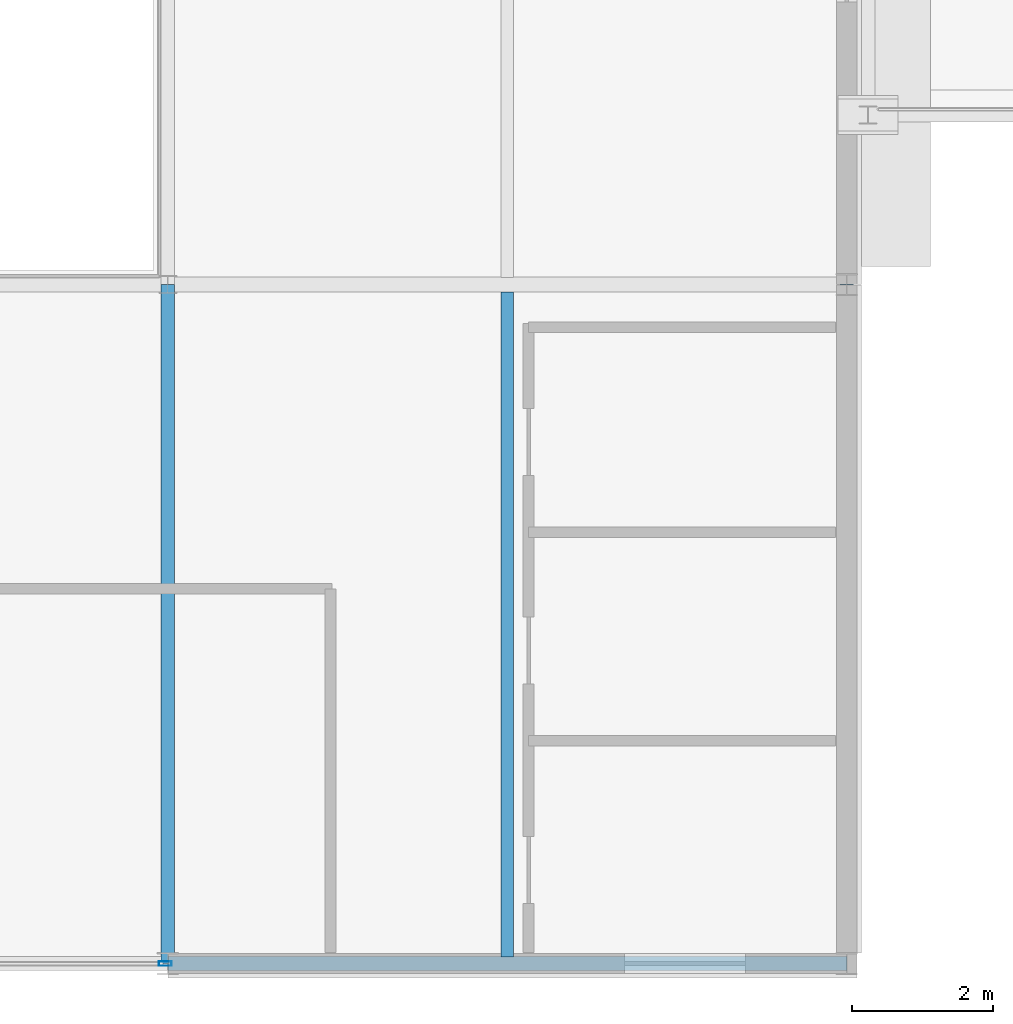
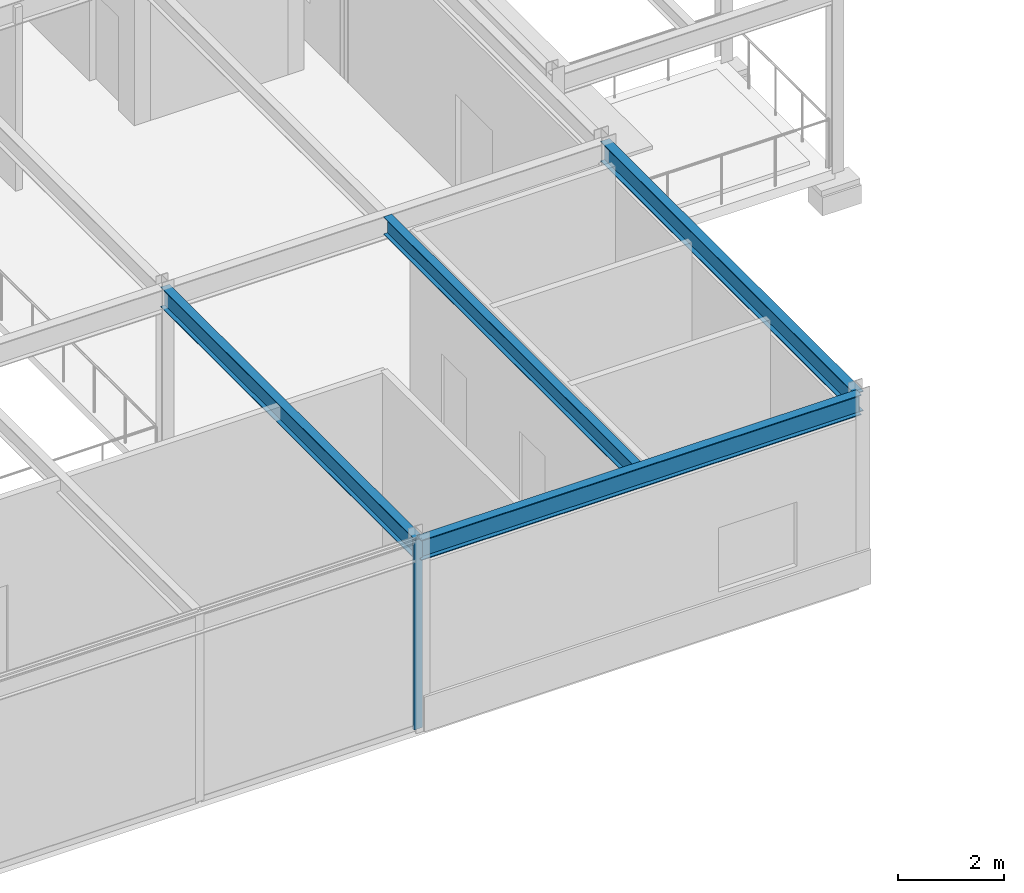
# One storey, part 24 of 157: 4 beams, 1 member, 1 element without a shape of its own.
"""IFC4 building model written with IfcOpenShell, lengths in metres."""

from ifc_helpers import new_model, si_unit, direction, frame, origin, origin_2d, place, context, subcontext, project, spatial, hollow_rectangle, i_section, extrude, material, material_profile, profile_set, type_object, element, aggregate, save


model = new_model("IFC4")

# Units and contexts
model_context = context("Model", 3, precision=1e-05, world=origin(), true_north=direction((0.0, 1.0)))
body_context = subcontext(model_context, "Body", "Model", "MODEL_VIEW")
ifc_project = project(units=[si_unit("LENGTHUNIT", "METRE"), si_unit("AREAUNIT", "SQUARE_METRE"), si_unit("VOLUMEUNIT", "CUBIC_METRE"), si_unit("PLANEANGLEUNIT", "RADIAN"), si_unit("MASSUNIT", "GRAM", prefix="KILO")], contexts=[model_context])

# Site, building, storey
site_placement = place(None, origin())
site = spatial("IfcSite", under=ifc_project, at=site_placement, CompositionType="ELEMENT")
building_placement = place(site_placement, origin())
building = spatial("IfcBuilding", under=site, at=building_placement, Name="Almandine Court Research Institute", CompositionType="ELEMENT")
storey_placement = place(building_placement, frame((0.0, 0.0, 5.25)))
storey = spatial("IfcBuildingStorey", under=building, at=storey_placement, Name="L01", CompositionType="ELEMENT", Elevation=5.25)

# Beams
ifc_material_1 = material(Name="Steel ASTM A992 Grade 50", Category="steel")
ifc_material_profile_1 = material_profile(ifc_material_1, i_section(OverallWidth=0.18994140625, OverallDepth=0.45703125, WebThickness=0.009033203125, FlangeThickness=0.014892578125, at=origin_2d()), Name="W460x74")
ifc_profile_set_1 = profile_set([ifc_material_profile_1], Name="Steel ASTM A992 Grade 50")
beam_type_1 = type_object("IfcBeamType", Name="Beam-B-01", PredefinedType="BEAM", material=ifc_profile_set_1)
beam_1_placement = place(storey_placement, frame((25.199951171875, 6.0, 4.14111328125), z_axis=(0.0, 1.0, 0.0), x_axis=(-1.0, 0.0, 0.0)))
element("IfcBeam", 1, at=beam_1_placement, inside=storey, type_object=beam_type_1, Name="L01 V1 Primary Y Girder", PredefinedType="BEAM", context=body_context, shape_type="SweptSolid", body=[
    extrude(i_section(OverallWidth=0.18994140625, OverallDepth=0.45703125, WebThickness=0.009033203125, FlangeThickness=0.014892578125, at=origin_2d()), origin(), (0.0, 0.0, 1.0), 9.60009765625),
])
ifc_material_profile_2 = material_profile(ifc_material_1, i_section(OverallWidth=0.178955078125, OverallDepth=0.409912109375, WebThickness=0.009033203125, FlangeThickness=0.013916015625, at=origin_2d()), Name="W410x67")
ifc_profile_set_2 = profile_set([ifc_material_profile_2], Name="Steel ASTM A992 Grade 50")
beam_type_2 = type_object("IfcBeamType", Name="Beam-B-02", PredefinedType="JOIST", material=ifc_profile_set_2)
beam_2_placement = place(storey_placement, frame((30.0, 6.094970703125, 4.1650390625), z_axis=(0.0, 1.0, 0.0), x_axis=(-1.0, 0.0, 0.0)))
element("IfcBeam", 2, at=beam_2_placement, inside=storey, type_object=beam_type_2, Name="L01 V1 Composite Secondary Beam", PredefinedType="JOIST", context=body_context, shape_type="SweptSolid", body=[
    extrude(i_section(OverallWidth=0.178955078125, OverallDepth=0.409912109375, WebThickness=0.009033203125, FlangeThickness=0.013916015625, at=origin_2d()), origin(), (0.0, 0.0, 1.0), 9.401123046875),
])
ifc_material_profile_3 = material_profile(ifc_material_1, i_section(OverallWidth=0.193115234375, OverallDepth=0.466064453125, WebThickness=0.010986328125, FlangeThickness=0.01904296875, at=origin_2d()), Name="W460x97")
ifc_profile_set_3 = profile_set([ifc_material_profile_3], Name="Steel ASTM A992 Grade 50")
beam_type_3 = type_object("IfcBeamType", Name="Beam-G-06-E", PredefinedType="SPANDREL", material=ifc_profile_set_3)
for number, where, z_axis, x_axis, name in (
    (3, (25.199951171875, 6.0, 4.136962890625), (1.0, 0.0, 0.0), (0.0, 1.0, 0.0), "L01 V1 Primary X Girder"),
    (4, (34.800048828125, 6.0, 4.136962890625), (0.0, 1.0, 0.0), (-1.0, 0.0, 0.0), "L01 V1 Primary Y Girder"),
):
    element("IfcBeam", number, at=place(storey_placement, frame(where, z_axis=z_axis, x_axis=x_axis)), inside=storey, type_object=beam_type_3, Name=name, PredefinedType="SPANDREL", context=body_context, shape_type="SweptSolid", body=[
        extrude(i_section(OverallWidth=0.193115234375, OverallDepth=0.466064453125, WebThickness=0.010986328125, FlangeThickness=0.01904296875, at=origin_2d()), origin(), (0.0, 0.0, 1.0), 9.60009765625),
    ])

# Curtain wall, member
ifc_material_2 = material(Name="Unitised Curtain Wall Framing and Solar Glazing", Category="glass")
curtain_wall_type = type_object("IfcCurtainWallType", Name="CW-CWJ-02", PredefinedType="USERDEFINED", material=ifc_material_2)
curtain_wall_placement = place(storey_placement, origin())
curtain_wall = element("IfcCurtainWall", 5, at=curtain_wall_placement, inside=storey, type_object=curtain_wall_type, Name="L01 Lecture Foyer South Jali Curtain Wall", ObjectType="SOLAR JALI SCREEN", PredefinedType="USERDEFINED")
ifc_material_3 = material(Name="Anodised Aluminium AW-6063-T6", Category="aluminium")
ifc_material_profile_4 = material_profile(ifc_material_3, hollow_rectangle(XDim=0.06494140625, YDim=0.179931640625, WallThickness=0.00390625, at=origin_2d()), Name="ALU RHS 65x180x4")
ifc_profile_set_4 = profile_set([ifc_material_profile_4], Name="Anodised Aluminium AW-6063-T6")
member_type = type_object("IfcMemberType", Name="CWMul-65x180", PredefinedType="MULLION", material=ifc_profile_set_4)
member_placement = place(storey_placement, frame((25.16357421875, 6.0, 0.0), z_axis=(0.0, 0.0, 1.0), x_axis=(0.0, -1.0, 0.0)))
member = element("IfcMember", 6, at=member_placement, type_object=member_type, Name="CWJ-02 mullion 1", PredefinedType="MULLION", context=body_context, shape_type="SweptSolid", body=[
    extrude(hollow_rectangle(XDim=0.06494140625, YDim=0.179931640625, WallThickness=0.00390625, at=origin_2d()), origin(), (0.0, 0.0, 1.0), 4.3701171875),
])
aggregate(curtain_wall, [member])

save(model, "model.ifc")
